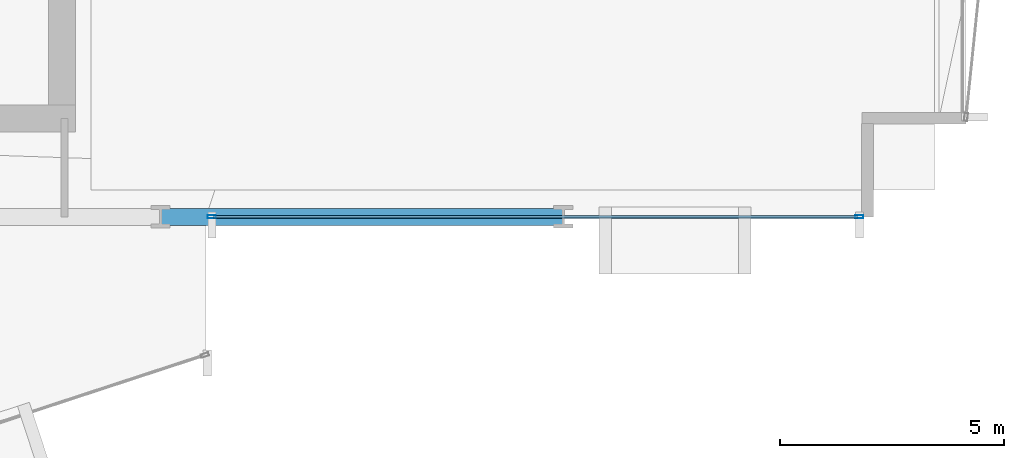
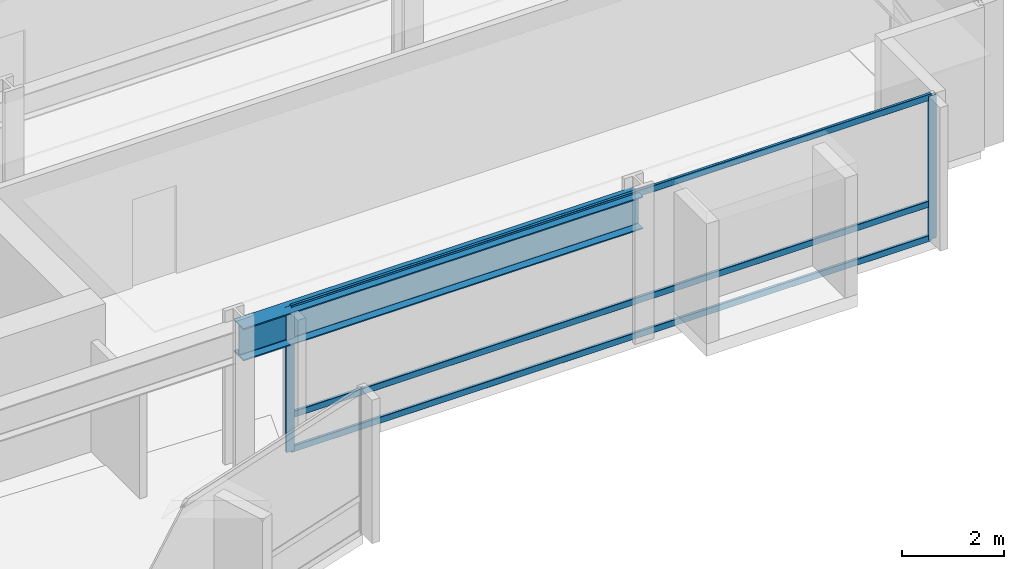
# One storey, part 12 of 34: 5 members, 1 beam, 1 element without a shape of its own.
"""IFC4 building model written with IfcOpenShell, lengths in metres."""

from ifc_helpers import new_model, si_unit, direction, frame, origin, origin_2d, place, context, subcontext, project, spatial, hollow_rectangle, i_section, extrude, material, layer, layer_set, material_profile, profile_set, type_object, element, aggregate, save


model = new_model("IFC4")

# Units and contexts
model_context = context("Model", 3, precision=1e-05, world=origin(), true_north=direction((0.0, 1.0)))
body_context = subcontext(model_context, "Body", "Model", "MODEL_VIEW")
ifc_project = project(units=[si_unit("LENGTHUNIT", "METRE"), si_unit("AREAUNIT", "SQUARE_METRE"), si_unit("VOLUMEUNIT", "CUBIC_METRE"), si_unit("PLANEANGLEUNIT", "RADIAN"), si_unit("MASSUNIT", "GRAM", prefix="KILO")], contexts=[model_context])

# Site, building, storey
site_placement = place(None, origin())
site = spatial("IfcSite", under=ifc_project, at=site_placement, CompositionType="ELEMENT")
building_placement = place(site_placement, origin())
building = spatial("IfcBuilding", under=site, at=building_placement, Name="Solvaryn Broadcast Tower", CompositionType="ELEMENT")
storey_placement = place(building_placement, frame((0.0, 0.0, 36.0)))
storey = spatial("IfcBuildingStorey", under=building, at=storey_placement, Name="L07", CompositionType="ELEMENT", Elevation=36.0)

# Beam
ifc_material_1 = material(Name="Steel ASTM A992 Grade 50", Category="steel")
ifc_material_profile_1 = material_profile(ifc_material_1, i_section(OverallWidth=0.381103515625, OverallDepth=0.77294921875, WebThickness=0.0166015625, FlangeThickness=0.027099609375, FilletRadius=0.01806640625, at=origin_2d()))
ifc_profile_set_1 = profile_set([ifc_material_profile_1], Name="Steel ASTM A992 Grade 50")
beam_type = type_object("IfcBeamType", Name="BM-SP1-W30X173", PredefinedType="USERDEFINED", material=ifc_profile_set_1)
beam_placement = place(storey_placement, frame((45.0, 9.0, 3.033447265625), z_axis=(1.0, 0.0, 0.0), x_axis=(0.0, 1.0, 0.0)))
element("IfcBeam", 1, at=beam_placement, inside=storey, type_object=beam_type, Name="L07 Spandrel Beam X (45-54 @ Y=9)", ObjectType="SPANDREL", PredefinedType="USERDEFINED", context=body_context, shape_type="SweptSolid", body=[
    extrude(i_section(OverallWidth=0.381103515625, OverallDepth=0.77294921875, WebThickness=0.0166015625, FlangeThickness=0.027099609375, FilletRadius=0.01806640625, at=origin_2d()), origin(), (0.0, 0.0, 1.0), 9.0),
])

# Curtain wall, members
ifc_material_2 = material(Name="Aluminium and Terracotta Unitised Curtain Wall", Category="masonry")
ifc_layer = layer(ifc_material_2, 0.199951171875)
ifc_layer_set = layer_set([ifc_layer], Name="CW-SYS2-LOWMID")
curtain_wall_type = type_object("IfcCurtainWallType", Name="CW-SYS2-LOWMID", PredefinedType="NOTDEFINED", material=ifc_layer_set)
curtain_wall_placement = place(storey_placement, origin())
curtain_wall = element("IfcCurtainWall", 2, at=curtain_wall_placement, inside=storey, type_object=curtain_wall_type, Name="L07 Curtain Wall S2", PredefinedType="NOTDEFINED")
ifc_material_3 = material(Name="Anodised Aluminium 6063-T6", Category="aluminium")
ifc_material_profile_2 = material_profile(ifc_material_3, hollow_rectangle(XDim=0.074951171875, YDim=0.179931640625, WallThickness=0.00390625, InnerFilletRadius=0.00390625, OuterFilletRadius=0.008056640625, at=origin_2d()))
ifc_profile_set_2 = profile_set([ifc_material_profile_2], Name="Anodised Aluminium 6063-T6")
member_type_1 = type_object("IfcMemberType", Name="CW-MUL-180", PredefinedType="MULLION", material=ifc_profile_set_2)
member_1_placement = place(storey_placement, frame((46.14599609375, 9.0, 0.0), z_axis=(0.0, 0.0, 1.0), x_axis=(0.0, 1.0, 0.0)))
member_1 = element("IfcMember", 3, at=member_1_placement, type_object=member_type_1, Name="CWS2 mullion 1", PredefinedType="MULLION", context=body_context, shape_type="SweptSolid", body=[
    extrude(hollow_rectangle(XDim=0.074951171875, YDim=0.179931640625, WallThickness=0.00390625, InnerFilletRadius=0.00390625, OuterFilletRadius=0.008056640625, at=origin_2d()), origin(), (0.0, 0.0, 1.0), 3.419921875),
])
member_2_placement = place(storey_placement, frame((60.6201171875, 9.0, 0.0), z_axis=(0.0, 0.0, 1.0), x_axis=(0.0, 1.0, 0.0)))
member_2 = element("IfcMember", 4, at=member_2_placement, type_object=member_type_1, Name="CWS2 mullion 2", PredefinedType="MULLION", context=body_context, shape_type="SweptSolid", body=[
    extrude(hollow_rectangle(XDim=0.074951171875, YDim=0.179931640625, WallThickness=0.00390625, InnerFilletRadius=0.00390625, OuterFilletRadius=0.008056640625, at=origin_2d()), origin(), (0.0, 0.0, 1.0), 3.419921875),
])
ifc_material_4 = material(Name="Anodised Aluminium 6063-T6", Category="aluminium")
ifc_material_profile_3 = material_profile(ifc_material_4, hollow_rectangle(XDim=0.06494140625, YDim=0.14990234375, WallThickness=0.00390625, InnerFilletRadius=0.00390625, OuterFilletRadius=0.008056640625, at=origin_2d()))
ifc_profile_set_3 = profile_set([ifc_material_profile_3], Name="Anodised Aluminium 6063-T6")
member_type_2 = type_object("IfcMemberType", Name="CW-TRN-150", PredefinedType="USERDEFINED", material=ifc_profile_set_3)
member_3_placement = place(storey_placement, frame((46.176025390625, 9.0, 0.030029296875), z_axis=(1.0, 0.0, 0.0), x_axis=(0.0, 1.0, 0.0)))
member_3 = element("IfcMember", 5, at=member_3_placement, type_object=member_type_2, Name="CWS2 transom 1.1", ObjectType="TRANSOM", PredefinedType="USERDEFINED", context=body_context, shape_type="SweptSolid", body=[
    extrude(hollow_rectangle(XDim=0.06494140625, YDim=0.14990234375, WallThickness=0.00390625, InnerFilletRadius=0.00390625, OuterFilletRadius=0.008056640625, at=origin_2d()), origin(), (0.0, 0.0, 1.0), 14.4140625),
])
member_4_placement = place(storey_placement, frame((46.176025390625, 9.0, 0.85009765625), z_axis=(1.0, 0.0, 0.0), x_axis=(0.0, 1.0, 0.0)))
member_4 = element("IfcMember", 6, at=member_4_placement, type_object=member_type_2, Name="CWS2 transom 1.2", ObjectType="TRANSOM", PredefinedType="USERDEFINED", context=body_context, shape_type="SweptSolid", body=[
    extrude(hollow_rectangle(XDim=0.06494140625, YDim=0.14990234375, WallThickness=0.00390625, InnerFilletRadius=0.00390625, OuterFilletRadius=0.008056640625, at=origin_2d()), origin(), (0.0, 0.0, 1.0), 14.4140625),
])
member_5_placement = place(storey_placement, frame((46.176025390625, 9.0, 3.389892578125), z_axis=(1.0, 0.0, 0.0), x_axis=(0.0, 1.0, 0.0)))
member_5 = element("IfcMember", 7, at=member_5_placement, type_object=member_type_2, Name="CWS2 transom 1.3", ObjectType="TRANSOM", PredefinedType="USERDEFINED", context=body_context, shape_type="SweptSolid", body=[
    extrude(hollow_rectangle(XDim=0.06494140625, YDim=0.14990234375, WallThickness=0.00390625, InnerFilletRadius=0.00390625, OuterFilletRadius=0.008056640625, at=origin_2d()), origin(), (0.0, 0.0, 1.0), 14.4140625),
])
aggregate(curtain_wall, [member_1, member_2, member_3, member_4, member_5])

save(model, "model.ifc")
